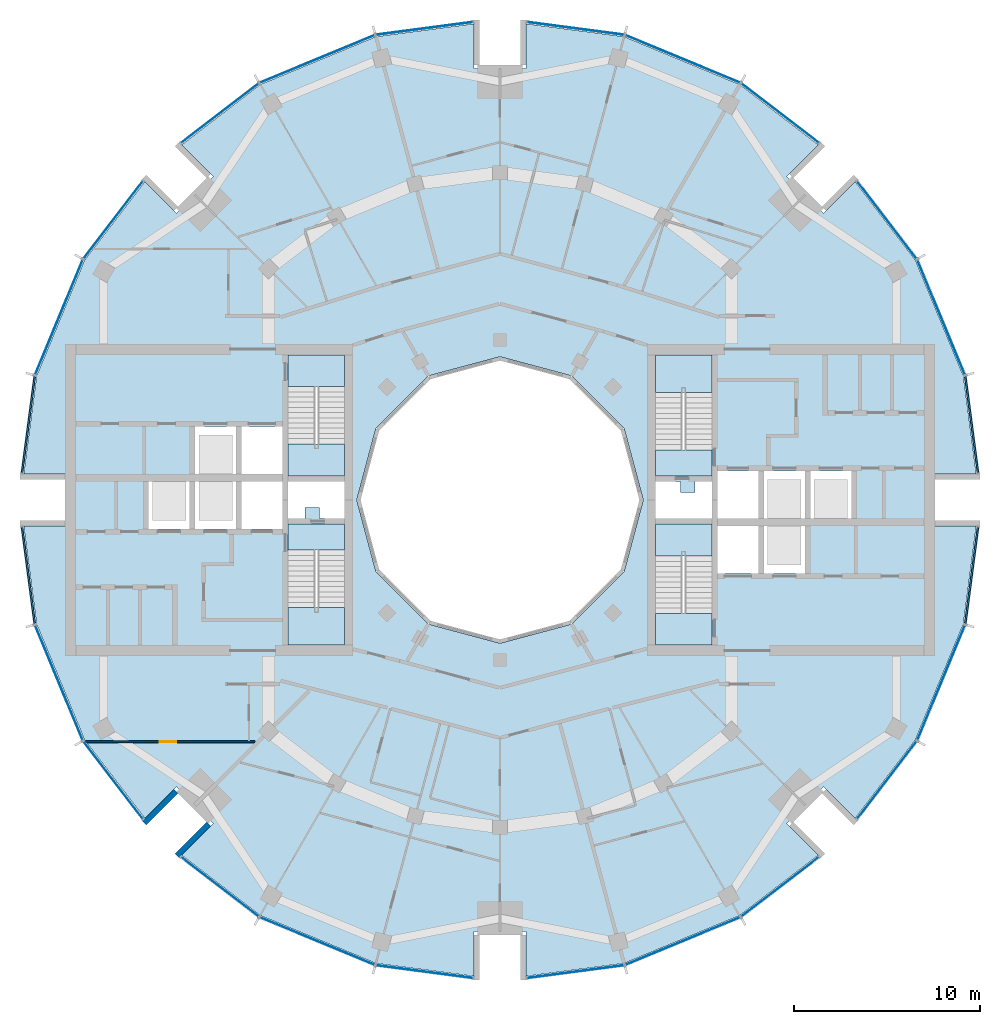
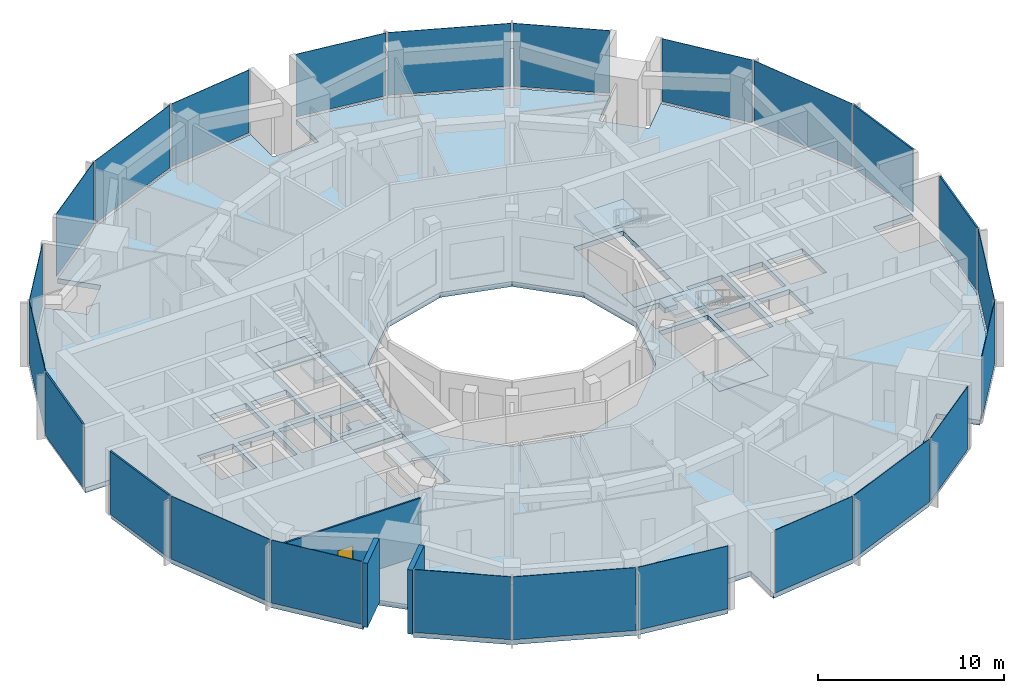
# One storey, part 7 of 15: 24 plates, 9 slabs, 3 walls, 1 door, 1 opening, 28 elements without a shape of their own.
"""IFC4 building model written with IfcOpenShell, lengths in metres."""

from ifc_helpers import new_model, si_unit, direction, frame, frame_2d, origin, origin_2d, place, context, subcontext, project, spatial, polyline, rectangle, outline, extrude, material, layer, layer_set, type_object, element, fill, aggregate, save


model = new_model("IFC4")

# Units and contexts
model_context = context("Model", 3, precision=1e-05, world=origin(), true_north=direction((0.0, 1.0)))
body_context = subcontext(model_context, "Body", "Model", "MODEL_VIEW")
ifc_project = project(units=[si_unit("LENGTHUNIT", "METRE"), si_unit("AREAUNIT", "SQUARE_METRE"), si_unit("VOLUMEUNIT", "CUBIC_METRE"), si_unit("PLANEANGLEUNIT", "RADIAN"), si_unit("MASSUNIT", "GRAM", prefix="KILO")], contexts=[model_context])

# Site, building, storey
site_placement = place(None, origin())
site = spatial("IfcSite", under=ifc_project, at=site_placement, CompositionType="ELEMENT")
building_placement = place(site_placement, origin())
building = spatial("IfcBuilding", under=site, at=building_placement, Name="Torre Brocal", CompositionType="ELEMENT")
storey_placement = place(building_placement, frame((0.0, 0.0, 254.10009765625)))
storey = spatial("IfcBuildingStorey", under=building, at=storey_placement, Name="L58", CompositionType="ELEMENT", Elevation=254.10009765625)

# Curtain wall, plate
ifc_material_1 = material(Name="Aluminium and glass", Category="aluminium")
ifc_layer_1 = layer(ifc_material_1, 0.199951171875)
ifc_layer_set_1 = layer_set([ifc_layer_1], Name="Aluminium and glass")
curtain_wall_type_1 = type_object("IfcCurtainWallType", Name="CW-1 CURTAIN WALL 4200 HIGH", PredefinedType="NOTDEFINED", material=ifc_layer_set_1)
curtain_wall_1_placement = place(storey_placement, origin())
curtain_wall_1 = element("IfcCurtainWall", 1, at=curtain_wall_1_placement, inside=storey, type_object=curtain_wall_type_1, Name="CW-1 RUN 2", PredefinedType="NOTDEFINED")
ifc_material_2 = material(Name="Glass, dark tinted laminated", Category="glass")
ifc_layer_2 = layer(ifc_material_2, 0.031982421875)
ifc_layer_set_2 = layer_set([ifc_layer_2], Name="Glass, dark tinted laminated")
plate_type_1 = type_object("IfcPlateType", Name="CW-1 GLASS PANEL 32", PredefinedType="CURTAIN_PANEL", material=ifc_layer_set_2)
plate_1_placement = place(storey_placement, frame((103.722900390625, 84.826416015625, 0.079833984375), z_axis=(0.0, 0.0, 1.0), x_axis=(-0.382683432333, 0.923879532525, 0.0)))
plate_1 = element("IfcPlate", 2, at=plate_1_placement, type_object=plate_type_1, Name="CW1-5 panel 1.1", PredefinedType="CURTAIN_PANEL", context=body_context, shape_type="SweptSolid", body=[
    extrude(rectangle(XDim=6.64111328125, YDim=0.031982421875, at=origin_2d()), origin(), (0.0, 0.0, 1.0), 4.1201171875),
])
aggregate(curtain_wall_1, [plate_1])

curtain_wall_2_placement = place(storey_placement, origin())
curtain_wall_2 = element("IfcCurtainWall", 3, at=curtain_wall_2_placement, inside=storey, type_object=curtain_wall_type_1, Name="CW-1 RUN 3", PredefinedType="NOTDEFINED")
plate_2_placement = place(storey_placement, frame((100.80126953125, 90.0712890625, 0.079833984375), z_axis=(0.0, 0.0, 1.0), x_axis=(-0.60876142905, 0.793353340259, 0.0)))
plate_2 = element("IfcPlate", 4, at=plate_2_placement, type_object=plate_type_1, Name="CW1-5 panel 1.1", PredefinedType="CURTAIN_PANEL", context=body_context, shape_type="SweptSolid", body=[
    extrude(rectangle(XDim=5.22900390625, YDim=0.031982421875, at=origin_2d()), origin(), (0.0, 0.0, 1.0), 4.1201171875),
])
aggregate(curtain_wall_2, [plate_2])

curtain_wall_3_placement = place(storey_placement, origin())
curtain_wall_3 = element("IfcCurtainWall", 5, at=curtain_wall_3_placement, inside=storey, type_object=curtain_wall_type_1, Name="CW-1 RUN 4", PredefinedType="NOTDEFINED")
plate_3_placement = place(storey_placement, frame((95.0712890625, 95.80126953125, 0.079833984375), z_axis=(0.0, 0.0, 1.0), x_axis=(-0.793353340259, 0.60876142905, 0.0)))
plate_3 = element("IfcPlate", 6, at=plate_3_placement, type_object=plate_type_1, Name="CW1-5 panel 1.1", PredefinedType="CURTAIN_PANEL", context=body_context, shape_type="SweptSolid", body=[
    extrude(rectangle(XDim=5.22900390625, YDim=0.031982421875, at=origin_2d()), origin(), (0.0, 0.0, 1.0), 4.1201171875),
])
aggregate(curtain_wall_3, [plate_3])

curtain_wall_4_placement = place(storey_placement, origin())
curtain_wall_4 = element("IfcCurtainWall", 7, at=curtain_wall_4_placement, inside=storey, type_object=curtain_wall_type_1, Name="CW-1 RUN 5", PredefinedType="NOTDEFINED")
plate_4_placement = place(storey_placement, frame((89.826416015625, 98.722900390625, 0.079833984375), z_axis=(0.0, 0.0, 1.0), x_axis=(-0.923879532525, 0.382683432333, 0.0)))
plate_4 = element("IfcPlate", 8, at=plate_4_placement, type_object=plate_type_1, Name="CW1-5 panel 1.1", PredefinedType="CURTAIN_PANEL", context=body_context, shape_type="SweptSolid", body=[
    extrude(rectangle(XDim=6.64111328125, YDim=0.031982421875, at=origin_2d()), origin(), (0.0, 0.0, 1.0), 4.1201171875),
])
aggregate(curtain_wall_4, [plate_4])

curtain_wall_5_placement = place(storey_placement, origin())
curtain_wall_5 = element("IfcCurtainWall", 9, at=curtain_wall_5_placement, inside=storey, type_object=curtain_wall_type_1, Name="CW-1 RUN 6", PredefinedType="NOTDEFINED")
plate_5_placement = place(storey_placement, frame((84.051513671875, 100.36572265625, 0.079833984375), z_axis=(0.0, 0.0, 1.0), x_axis=(-0.991444861374, 0.13052619222, 0.0)))
plate_5 = element("IfcPlate", 10, at=plate_5_placement, type_object=plate_type_1, Name="CW1-5 panel 1.1", PredefinedType="CURTAIN_PANEL", context=body_context, shape_type="SweptSolid", body=[
    extrude(rectangle(XDim=5.22900390625, YDim=0.031982421875, at=origin_2d()), origin(), (0.0, 0.0, 1.0), 4.1201171875),
])
aggregate(curtain_wall_5, [plate_5])

curtain_wall_6_placement = place(storey_placement, origin())
curtain_wall_6 = element("IfcCurtainWall", 11, at=curtain_wall_6_placement, inside=storey, type_object=curtain_wall_type_1, Name="CW-1 RUN 7", PredefinedType="NOTDEFINED")
plate_6_placement = place(storey_placement, frame((75.948486328125, 100.36572265625, 0.079833984375), z_axis=(0.0, 0.0, 1.0), x_axis=(-0.991444861374, -0.13052619222, 0.0)))
plate_6 = element("IfcPlate", 12, at=plate_6_placement, type_object=plate_type_1, Name="CW1-5 panel 1.1", PredefinedType="CURTAIN_PANEL", context=body_context, shape_type="SweptSolid", body=[
    extrude(rectangle(XDim=5.22900390625, YDim=0.031982421875, at=origin_2d()), origin(), (0.0, 0.0, 1.0), 4.1201171875),
])
aggregate(curtain_wall_6, [plate_6])

curtain_wall_7_placement = place(storey_placement, origin())
curtain_wall_7 = element("IfcCurtainWall", 13, at=curtain_wall_7_placement, inside=storey, type_object=curtain_wall_type_1, Name="CW-1 RUN 8", PredefinedType="NOTDEFINED")
plate_7_placement = place(storey_placement, frame((70.173583984375, 98.722900390625, 0.079833984375), z_axis=(0.0, 0.0, 1.0), x_axis=(-0.923879532525, -0.382683432333, 0.0)))
plate_7 = element("IfcPlate", 14, at=plate_7_placement, type_object=plate_type_1, Name="CW1-5 panel 1.1", PredefinedType="CURTAIN_PANEL", context=body_context, shape_type="SweptSolid", body=[
    extrude(rectangle(XDim=6.64111328125, YDim=0.031982421875, at=origin_2d()), origin(), (0.0, 0.0, 1.0), 4.1201171875),
])
aggregate(curtain_wall_7, [plate_7])

curtain_wall_8_placement = place(storey_placement, origin())
curtain_wall_8 = element("IfcCurtainWall", 15, at=curtain_wall_8_placement, inside=storey, type_object=curtain_wall_type_1, Name="CW-1 RUN 9", PredefinedType="NOTDEFINED")
plate_8_placement = place(storey_placement, frame((64.9287109375, 95.80126953125, 0.079833984375), z_axis=(0.0, 0.0, 1.0), x_axis=(-0.793353340259, -0.60876142905, 0.0)))
plate_8 = element("IfcPlate", 16, at=plate_8_placement, type_object=plate_type_1, Name="CW1-5 panel 1.1", PredefinedType="CURTAIN_PANEL", context=body_context, shape_type="SweptSolid", body=[
    extrude(rectangle(XDim=5.22900390625, YDim=0.031982421875, at=origin_2d()), origin(), (0.0, 0.0, 1.0), 4.1201171875),
])
aggregate(curtain_wall_8, [plate_8])

curtain_wall_9_placement = place(storey_placement, origin())
curtain_wall_9 = element("IfcCurtainWall", 17, at=curtain_wall_9_placement, inside=storey, type_object=curtain_wall_type_1, Name="CW-1 RUN 10", PredefinedType="NOTDEFINED")
plate_9_placement = place(storey_placement, frame((59.19873046875, 90.0712890625, 0.079833984375), z_axis=(0.0, 0.0, 1.0), x_axis=(-0.60876142905, -0.793353340259, 0.0)))
plate_9 = element("IfcPlate", 18, at=plate_9_placement, type_object=plate_type_1, Name="CW1-5 panel 1.1", PredefinedType="CURTAIN_PANEL", context=body_context, shape_type="SweptSolid", body=[
    extrude(rectangle(XDim=5.22900390625, YDim=0.031982421875, at=origin_2d()), origin(), (0.0, 0.0, 1.0), 4.1201171875),
])
aggregate(curtain_wall_9, [plate_9])

curtain_wall_10_placement = place(storey_placement, origin())
curtain_wall_10 = element("IfcCurtainWall", 19, at=curtain_wall_10_placement, inside=storey, type_object=curtain_wall_type_1, Name="CW-1 RUN 11", PredefinedType="NOTDEFINED")
plate_10_placement = place(storey_placement, frame((56.277099609375, 84.826416015625, 0.079833984375), z_axis=(0.0, 0.0, 1.0), x_axis=(-0.382683432333, -0.923879532525, 0.0)))
plate_10 = element("IfcPlate", 20, at=plate_10_placement, type_object=plate_type_1, Name="CW1-5 panel 1.1", PredefinedType="CURTAIN_PANEL", context=body_context, shape_type="SweptSolid", body=[
    extrude(rectangle(XDim=6.64111328125, YDim=0.031982421875, at=origin_2d()), origin(), (0.0, 0.0, 1.0), 4.1201171875),
])
aggregate(curtain_wall_10, [plate_10])

curtain_wall_11_placement = place(storey_placement, origin())
curtain_wall_11 = element("IfcCurtainWall", 21, at=curtain_wall_11_placement, inside=storey, type_object=curtain_wall_type_1, Name="CW-1 RUN 14", PredefinedType="NOTDEFINED")
plate_11_placement = place(storey_placement, frame((56.277099609375, 65.173583984375, 0.079833984375), z_axis=(0.0, 0.0, 1.0), x_axis=(0.382683432333, -0.923879532525, 0.0)))
plate_11 = element("IfcPlate", 22, at=plate_11_placement, type_object=plate_type_1, Name="CW1-5 panel 1.1", PredefinedType="CURTAIN_PANEL", context=body_context, shape_type="SweptSolid", body=[
    extrude(rectangle(XDim=6.64111328125, YDim=0.031982421875, at=origin_2d()), origin(), (0.0, 0.0, 1.0), 4.1201171875),
])
aggregate(curtain_wall_11, [plate_11])

curtain_wall_12_placement = place(storey_placement, origin())
curtain_wall_12 = element("IfcCurtainWall", 23, at=curtain_wall_12_placement, inside=storey, type_object=curtain_wall_type_1, Name="CW-1 RUN 15", PredefinedType="NOTDEFINED")
plate_12_placement = place(storey_placement, frame((59.19873046875, 59.9287109375, 0.079833984375), z_axis=(0.0, 0.0, 1.0), x_axis=(0.60876142905, -0.793353340259, 0.0)))
plate_12 = element("IfcPlate", 24, at=plate_12_placement, type_object=plate_type_1, Name="CW1-5 panel 1.1", PredefinedType="CURTAIN_PANEL", context=body_context, shape_type="SweptSolid", body=[
    extrude(rectangle(XDim=5.22900390625, YDim=0.031982421875, at=origin_2d()), origin(), (0.0, 0.0, 1.0), 4.1201171875),
])
aggregate(curtain_wall_12, [plate_12])

curtain_wall_13_placement = place(storey_placement, origin())
curtain_wall_13 = element("IfcCurtainWall", 25, at=curtain_wall_13_placement, inside=storey, type_object=curtain_wall_type_1, Name="CW-1 RUN 16", PredefinedType="NOTDEFINED")
plate_13_placement = place(storey_placement, frame((64.9287109375, 54.19873046875, 0.079833984375), z_axis=(0.0, 0.0, 1.0), x_axis=(0.793353340259, -0.60876142905, 0.0)))
plate_13 = element("IfcPlate", 26, at=plate_13_placement, type_object=plate_type_1, Name="CW1-5 panel 1.1", PredefinedType="CURTAIN_PANEL", context=body_context, shape_type="SweptSolid", body=[
    extrude(rectangle(XDim=5.22900390625, YDim=0.031982421875, at=origin_2d()), origin(), (0.0, 0.0, 1.0), 4.1201171875),
])
aggregate(curtain_wall_13, [plate_13])

curtain_wall_14_placement = place(storey_placement, origin())
curtain_wall_14 = element("IfcCurtainWall", 27, at=curtain_wall_14_placement, inside=storey, type_object=curtain_wall_type_1, Name="CW-1 RUN 17", PredefinedType="NOTDEFINED")
plate_14_placement = place(storey_placement, frame((70.173583984375, 51.277099609375, 0.079833984375), z_axis=(0.0, 0.0, 1.0), x_axis=(0.923879532525, -0.382683432333, 0.0)))
plate_14 = element("IfcPlate", 28, at=plate_14_placement, type_object=plate_type_1, Name="CW1-5 panel 1.1", PredefinedType="CURTAIN_PANEL", context=body_context, shape_type="SweptSolid", body=[
    extrude(rectangle(XDim=6.64111328125, YDim=0.031982421875, at=origin_2d()), origin(), (0.0, 0.0, 1.0), 4.1201171875),
])
aggregate(curtain_wall_14, [plate_14])

curtain_wall_15_placement = place(storey_placement, origin())
curtain_wall_15 = element("IfcCurtainWall", 29, at=curtain_wall_15_placement, inside=storey, type_object=curtain_wall_type_1, Name="CW-1 RUN 18", PredefinedType="NOTDEFINED")
plate_15_placement = place(storey_placement, frame((75.948486328125, 49.63427734375, 0.079833984375), z_axis=(0.0, 0.0, 1.0), x_axis=(0.991444861374, -0.13052619222, 0.0)))
plate_15 = element("IfcPlate", 30, at=plate_15_placement, type_object=plate_type_1, Name="CW1-5 panel 1.1", PredefinedType="CURTAIN_PANEL", context=body_context, shape_type="SweptSolid", body=[
    extrude(rectangle(XDim=5.22900390625, YDim=0.031982421875, at=origin_2d()), origin(), (0.0, 0.0, 1.0), 4.1201171875),
])
aggregate(curtain_wall_15, [plate_15])

curtain_wall_16_placement = place(storey_placement, origin())
curtain_wall_16 = element("IfcCurtainWall", 31, at=curtain_wall_16_placement, inside=storey, type_object=curtain_wall_type_1, Name="CW-1 RUN 19", PredefinedType="NOTDEFINED")
plate_16_placement = place(storey_placement, frame((84.051513671875, 49.63427734375, 0.079833984375), z_axis=(0.0, 0.0, 1.0), x_axis=(0.991444861374, 0.13052619222, 0.0)))
plate_16 = element("IfcPlate", 32, at=plate_16_placement, type_object=plate_type_1, Name="CW1-5 panel 1.1", PredefinedType="CURTAIN_PANEL", context=body_context, shape_type="SweptSolid", body=[
    extrude(rectangle(XDim=5.22900390625, YDim=0.031982421875, at=origin_2d()), origin(), (0.0, 0.0, 1.0), 4.1201171875),
])
aggregate(curtain_wall_16, [plate_16])

curtain_wall_17_placement = place(storey_placement, origin())
curtain_wall_17 = element("IfcCurtainWall", 33, at=curtain_wall_17_placement, inside=storey, type_object=curtain_wall_type_1, Name="CW-1 RUN 20", PredefinedType="NOTDEFINED")
plate_17_placement = place(storey_placement, frame((89.826416015625, 51.277099609375, 0.079833984375), z_axis=(0.0, 0.0, 1.0), x_axis=(0.923879532525, 0.382683432333, 0.0)))
plate_17 = element("IfcPlate", 34, at=plate_17_placement, type_object=plate_type_1, Name="CW1-5 panel 1.1", PredefinedType="CURTAIN_PANEL", context=body_context, shape_type="SweptSolid", body=[
    extrude(rectangle(XDim=6.64111328125, YDim=0.031982421875, at=origin_2d()), origin(), (0.0, 0.0, 1.0), 4.1201171875),
])
aggregate(curtain_wall_17, [plate_17])

curtain_wall_18_placement = place(storey_placement, origin())
curtain_wall_18 = element("IfcCurtainWall", 35, at=curtain_wall_18_placement, inside=storey, type_object=curtain_wall_type_1, Name="CW-1 RUN 21", PredefinedType="NOTDEFINED")
plate_18_placement = place(storey_placement, frame((95.0712890625, 54.19873046875, 0.079833984375), z_axis=(0.0, 0.0, 1.0), x_axis=(0.793353340259, 0.60876142905, 0.0)))
plate_18 = element("IfcPlate", 36, at=plate_18_placement, type_object=plate_type_1, Name="CW1-5 panel 1.1", PredefinedType="CURTAIN_PANEL", context=body_context, shape_type="SweptSolid", body=[
    extrude(rectangle(XDim=5.22900390625, YDim=0.031982421875, at=origin_2d()), origin(), (0.0, 0.0, 1.0), 4.1201171875),
])
aggregate(curtain_wall_18, [plate_18])

curtain_wall_19_placement = place(storey_placement, origin())
curtain_wall_19 = element("IfcCurtainWall", 37, at=curtain_wall_19_placement, inside=storey, type_object=curtain_wall_type_1, Name="CW-1 RUN 22", PredefinedType="NOTDEFINED")
plate_19_placement = place(storey_placement, frame((100.80126953125, 59.9287109375, 0.079833984375), z_axis=(0.0, 0.0, 1.0), x_axis=(0.60876142905, 0.793353340259, 0.0)))
plate_19 = element("IfcPlate", 38, at=plate_19_placement, type_object=plate_type_1, Name="CW1-5 panel 1.1", PredefinedType="CURTAIN_PANEL", context=body_context, shape_type="SweptSolid", body=[
    extrude(rectangle(XDim=5.22900390625, YDim=0.031982421875, at=origin_2d()), origin(), (0.0, 0.0, 1.0), 4.1201171875),
])
aggregate(curtain_wall_19, [plate_19])

curtain_wall_20_placement = place(storey_placement, origin())
curtain_wall_20 = element("IfcCurtainWall", 39, at=curtain_wall_20_placement, inside=storey, type_object=curtain_wall_type_1, Name="CW-1 RUN 23", PredefinedType="NOTDEFINED")
plate_20_placement = place(storey_placement, frame((103.722900390625, 65.173583984375, 0.079833984375), z_axis=(0.0, 0.0, 1.0), x_axis=(0.382683432333, 0.923879532525, 0.0)))
plate_20 = element("IfcPlate", 40, at=plate_20_placement, type_object=plate_type_1, Name="CW1-5 panel 1.1", PredefinedType="CURTAIN_PANEL", context=body_context, shape_type="SweptSolid", body=[
    extrude(rectangle(XDim=6.64111328125, YDim=0.031982421875, at=origin_2d()), origin(), (0.0, 0.0, 1.0), 4.1201171875),
])
aggregate(curtain_wall_20, [plate_20])

ifc_material_3 = material(Name="Aluminium and glass", Category="aluminium")
ifc_layer_3 = layer(ifc_material_3, 0.199951171875)
ifc_layer_set_3 = layer_set([ifc_layer_3], Name="Aluminium and glass")
curtain_wall_type_2 = type_object("IfcCurtainWallType", Name="CW-1B CURTAIN WALL 4200 HIGH", PredefinedType="NOTDEFINED", material=ifc_layer_set_3)
curtain_wall_21_placement = place(storey_placement, origin())
curtain_wall_21 = element("IfcCurtainWall", 41, at=curtain_wall_21_placement, inside=storey, type_object=curtain_wall_type_2, Name="CW-1B RUN 1", PredefinedType="NOTDEFINED")
ifc_material_4 = material(Name="Aluminium composite panel", Category="aluminium")
ifc_layer_4 = layer(ifc_material_4, 0.10009765625)
ifc_layer_set_4 = layer_set([ifc_layer_4], Name="Aluminium composite panel")
plate_type_2 = type_object("IfcPlateType", Name="CW-1B OPAQUE PANEL 100", PredefinedType="CURTAIN_PANEL", material=ifc_layer_set_4)
plate_21_placement = place(storey_placement, frame((105.36572265625, 79.051513671875, 0.079833984375), z_axis=(0.0, 0.0, 1.0), x_axis=(-0.13052619222, 0.991444861374, 0.0)))
plate_21 = element("IfcPlate", 42, at=plate_21_placement, type_object=plate_type_2, Name="CW1B-5 panel 1.1", PredefinedType="CURTAIN_PANEL", context=body_context, shape_type="SweptSolid", body=[
    extrude(rectangle(XDim=5.22900390625, YDim=0.10009765625, at=origin_2d()), origin(), (0.0, 0.0, 1.0), 4.1201171875),
])
aggregate(curtain_wall_21, [plate_21])

curtain_wall_22_placement = place(storey_placement, origin())
curtain_wall_22 = element("IfcCurtainWall", 43, at=curtain_wall_22_placement, inside=storey, type_object=curtain_wall_type_2, Name="CW-1B RUN 12", PredefinedType="NOTDEFINED")
plate_22_placement = place(storey_placement, frame((54.63427734375, 79.051513671875, 0.079833984375), z_axis=(0.0, 0.0, 1.0), x_axis=(-0.13052619222, -0.991444861374, 0.0)))
plate_22 = element("IfcPlate", 44, at=plate_22_placement, type_object=plate_type_2, Name="CW1B-5 panel 1.1", PredefinedType="CURTAIN_PANEL", context=body_context, shape_type="SweptSolid", body=[
    extrude(rectangle(XDim=5.22900390625, YDim=0.10009765625, at=origin_2d()), origin(), (0.0, 0.0, 1.0), 4.1201171875),
])
aggregate(curtain_wall_22, [plate_22])

curtain_wall_23_placement = place(storey_placement, origin())
curtain_wall_23 = element("IfcCurtainWall", 45, at=curtain_wall_23_placement, inside=storey, type_object=curtain_wall_type_2, Name="CW-1B RUN 13", PredefinedType="NOTDEFINED")
plate_23_placement = place(storey_placement, frame((54.63427734375, 70.948486328125, 0.079833984375), z_axis=(0.0, 0.0, 1.0), x_axis=(0.13052619222, -0.991444861374, 0.0)))
plate_23 = element("IfcPlate", 46, at=plate_23_placement, type_object=plate_type_2, Name="CW1B-5 panel 1.1", PredefinedType="CURTAIN_PANEL", context=body_context, shape_type="SweptSolid", body=[
    extrude(rectangle(XDim=5.22900390625, YDim=0.10009765625, at=origin_2d()), origin(), (0.0, 0.0, 1.0), 4.1201171875),
])
aggregate(curtain_wall_23, [plate_23])

curtain_wall_24_placement = place(storey_placement, origin())
curtain_wall_24 = element("IfcCurtainWall", 47, at=curtain_wall_24_placement, inside=storey, type_object=curtain_wall_type_2, Name="CW-1B RUN 24", PredefinedType="NOTDEFINED")
plate_24_placement = place(storey_placement, frame((105.36572265625, 70.948486328125, 0.079833984375), z_axis=(0.0, 0.0, 1.0), x_axis=(0.13052619222, 0.991444861374, 0.0)))
plate_24 = element("IfcPlate", 48, at=plate_24_placement, type_object=plate_type_2, Name="CW1B-5 panel 1.1", PredefinedType="CURTAIN_PANEL", context=body_context, shape_type="SweptSolid", body=[
    extrude(rectangle(XDim=5.22900390625, YDim=0.10009765625, at=origin_2d()), origin(), (0.0, 0.0, 1.0), 4.1201171875),
])
aggregate(curtain_wall_24, [plate_24])

# Stair, slab
ifc_material_5 = material(Name="Concrete C50", Category="concrete")
stair_type = type_object("IfcStairType", Name="EXIT STAIR", PredefinedType="HALF_TURN_STAIR", material=ifc_material_5)
stair_1_placement = place(storey_placement, origin())
stair_1 = element("IfcStair", 49, at=stair_1_placement, inside=storey, type_object=stair_type, Name="EXIT STAIR ST1", PredefinedType="HALF_TURN_STAIR")
ifc_material_6 = material(Name="Concrete C50", Category="concrete")
ifc_layer_5 = layer(ifc_material_6, 0.320068359375)
ifc_layer_set_5 = layer_set([ifc_layer_5], Name="Concrete C50")
slab_type_1 = type_object("IfcSlabType", Name="FLOOR LANDING 320", PredefinedType="LANDING", material=ifc_layer_set_5)
slab_1_placement = place(storey_placement, frame((0.0, 0.0, -0.320068359375)))
slab_1 = element("IfcSlab", 50, at=slab_1_placement, type_object=slab_type_1, Name="ST1 landing 1", PredefinedType="LANDING", context=body_context, shape_type="SweptSolid", body=[
    extrude(outline(polyline([(88.35009765625, 76.300048828125), (91.39990234375, 76.300048828125), (91.39990234375, 77.699951171875), (88.35009765625, 77.699951171875), (88.35009765625, 76.300048828125)])), origin(), (0.0, 0.0, 1.0), 0.320068359375),
])

stair_2_placement = place(storey_placement, origin())
stair_2 = element("IfcStair", 51, at=stair_2_placement, inside=storey, type_object=stair_type, Name="EXIT STAIR ST2", PredefinedType="HALF_TURN_STAIR")
slab_2_placement = place(storey_placement, frame((0.0, 0.0, -0.320068359375)))
slab_2 = element("IfcSlab", 52, at=slab_2_placement, type_object=slab_type_1, Name="ST2 landing 1", PredefinedType="LANDING", context=body_context, shape_type="SweptSolid", body=[
    extrude(outline(polyline([(88.35009765625, 67.199951171875), (91.39990234375, 67.199951171875), (91.39990234375, 68.89990234375), (88.35009765625, 68.89990234375), (88.35009765625, 67.199951171875)])), origin(), (0.0, 0.0, 1.0), 0.320068359375),
])

stair_3_placement = place(storey_placement, origin())
stair_3 = element("IfcStair", 53, at=stair_3_placement, inside=storey, type_object=stair_type, Name="EXIT STAIR ST3", PredefinedType="HALF_TURN_STAIR")
slab_3_placement = place(storey_placement, frame((0.0, 0.0, -0.320068359375)))
slab_3 = element("IfcSlab", 54, at=slab_3_placement, type_object=slab_type_1, Name="ST3 landing 1", PredefinedType="LANDING", context=body_context, shape_type="SweptSolid", body=[
    extrude(outline(polyline([(71.64990234375, 73.699951171875), (68.60009765625, 73.699951171875), (68.60009765625, 72.300048828125), (71.64990234375, 72.300048828125), (71.64990234375, 73.699951171875)])), origin(), (0.0, 0.0, 1.0), 0.320068359375),
])

stair_4_placement = place(storey_placement, origin())
stair_4 = element("IfcStair", 55, at=stair_4_placement, inside=storey, type_object=stair_type, Name="EXIT STAIR ST4", PredefinedType="HALF_TURN_STAIR")
slab_4_placement = place(storey_placement, frame((0.0, 0.0, -0.320068359375)))
slab_4 = element("IfcSlab", 56, at=slab_4_placement, type_object=slab_type_1, Name="ST4 landing 1", PredefinedType="LANDING", context=body_context, shape_type="SweptSolid", body=[
    extrude(outline(polyline([(71.64990234375, 82.800048828125), (68.60009765625, 82.800048828125), (68.60009765625, 81.10009765625), (71.64990234375, 81.10009765625), (71.64990234375, 82.800048828125)])), origin(), (0.0, 0.0, 1.0), 0.320068359375),
])

# Slab
ifc_material_7 = material(Name="Concrete C50", Category="concrete")
ifc_layer_6 = layer(ifc_material_7, 0.199951171875)
ifc_layer_set_6 = layer_set([ifc_layer_6], Name="Concrete C50")
slab_type_2 = type_object("IfcSlabType", Name="MID LANDING +2100", PredefinedType="LANDING", material=ifc_layer_set_6)
slab_5_placement = place(storey_placement, frame((0.0, 0.0, 1.89990234375)))
slab_5 = element("IfcSlab", 57, at=slab_5_placement, type_object=slab_type_2, Name="ST1 landing 2", PredefinedType="LANDING", context=body_context, shape_type="SweptSolid", body=[
    extrude(outline(polyline([(88.35009765625, 80.780029296875), (91.39990234375, 80.780029296875), (91.39990234375, 82.800048828125), (88.35009765625, 82.800048828125), (88.35009765625, 80.780029296875)])), origin(), (0.0, 0.0, 1.0), 0.199951171875),
])

aggregate(stair_1, [slab_1, slab_5])

slab_6_placement = place(storey_placement, frame((0.0, 0.0, 1.89990234375)))
slab_6 = element("IfcSlab", 58, at=slab_6_placement, type_object=slab_type_2, Name="ST2 landing 2", PredefinedType="LANDING", context=body_context, shape_type="SweptSolid", body=[
    extrude(outline(polyline([(88.35009765625, 71.97998046875), (91.39990234375, 71.97998046875), (91.39990234375, 73.699951171875), (88.35009765625, 73.699951171875), (88.35009765625, 71.97998046875)])), origin(), (0.0, 0.0, 1.0), 0.199951171875),
])

aggregate(stair_2, [slab_2, slab_6])

slab_7_placement = place(storey_placement, frame((0.0, 0.0, 1.89990234375)))
slab_7 = element("IfcSlab", 59, at=slab_7_placement, type_object=slab_type_2, Name="ST3 landing 2", PredefinedType="LANDING", context=body_context, shape_type="SweptSolid", body=[
    extrude(outline(polyline([(71.64990234375, 69.219970703125), (68.60009765625, 69.219970703125), (68.60009765625, 67.199951171875), (71.64990234375, 67.199951171875), (71.64990234375, 69.219970703125)])), origin(), (0.0, 0.0, 1.0), 0.199951171875),
])

aggregate(stair_3, [slab_3, slab_7])

slab_8_placement = place(storey_placement, frame((0.0, 0.0, 1.89990234375)))
slab_8 = element("IfcSlab", 60, at=slab_8_placement, type_object=slab_type_2, Name="ST4 landing 2", PredefinedType="LANDING", context=body_context, shape_type="SweptSolid", body=[
    extrude(outline(polyline([(71.64990234375, 78.02001953125), (68.60009765625, 78.02001953125), (68.60009765625, 76.300048828125), (71.64990234375, 76.300048828125), (71.64990234375, 78.02001953125)])), origin(), (0.0, 0.0, 1.0), 0.199951171875),
])

aggregate(stair_4, [slab_4, slab_8])

ifc_material_8 = material(Name="Concrete C45", Category="concrete")
ifc_layer_7 = layer(ifc_material_8, 0.320068359375)
ifc_layer_set_7 = layer_set([ifc_layer_7], Name="Concrete C45")
slab_type_3 = type_object("IfcSlabType", Name="PT FLOOR SLAB 320 C45", PredefinedType="FLOOR", material=ifc_layer_set_7)
slab_9_placement = place(storey_placement, frame((0.0, 0.0, -0.320068359375)))
element("IfcSlab", 61, at=slab_9_placement, inside=storey, type_object=slab_type_3, Name="Slab ST-05", PredefinedType="FLOOR", context=body_context, shape_type="SweptSolid", body=[
    extrude(outline(polyline([(103.199951171875, 76.39990234375), (103.199951171875, 73.60009765625), (105.614013671875, 73.60009765625), (104.919189453125, 68.322998046875), (102.342041015625, 62.100830078125), (99.101806640625, 57.878173828125), (97.394775390625, 59.5849609375), (95.4150390625, 57.605224609375), (97.121826171875, 55.898193359375), (92.899169921875, 52.657958984375), (86.677001953125, 50.080810546875), (81.39990234375, 49.385986328125), (81.39990234375, 51.800048828125), (78.60009765625, 51.800048828125), (78.60009765625, 49.385986328125), (73.322998046875, 50.080810546875), (67.100830078125, 52.657958984375), (62.878173828125, 55.898193359375), (64.5849609375, 57.605224609375), (62.605224609375, 59.5849609375), (60.898193359375, 57.878173828125), (57.657958984375, 62.100830078125), (55.080810546875, 68.322998046875), (54.385986328125, 73.60009765625), (56.800048828125, 73.60009765625), (56.800048828125, 76.39990234375), (54.385986328125, 76.39990234375), (55.080810546875, 81.677001953125), (57.657958984375, 87.899169921875), (60.898193359375, 92.121826171875), (62.605224609375, 90.4150390625), (64.5849609375, 92.394775390625), (62.878173828125, 94.101806640625), (67.100830078125, 97.342041015625), (73.322998046875, 99.919189453125), (78.60009765625, 100.614013671875), (78.60009765625, 98.199951171875), (81.39990234375, 98.199951171875), (81.39990234375, 100.614013671875), (86.677001953125, 99.919189453125), (92.899169921875, 97.342041015625), (97.121826171875, 94.101806640625), (95.4150390625, 92.394775390625), (97.394775390625, 90.4150390625), (99.101806640625, 92.121826171875), (102.342041015625, 87.899169921875), (104.919189453125, 81.677001953125), (105.614013671875, 76.39990234375), (103.199951171875, 76.39990234375)]), holes=[polyline([(98.89990234375, 76.550048828125), (96.699951171875, 76.550048828125), (96.699951171875, 74.0), (98.89990234375, 74.0), (98.89990234375, 76.550048828125)]), polyline([(96.39990234375, 76.550048828125), (94.199951171875, 76.550048828125), (94.199951171875, 74.0), (96.39990234375, 74.0), (96.39990234375, 76.550048828125)]), polyline([(96.39990234375, 73.60009765625), (94.199951171875, 73.60009765625), (94.199951171875, 71.050048828125), (96.39990234375, 71.050048828125), (96.39990234375, 73.60009765625)]), polyline([(93.89990234375, 76.550048828125), (91.699951171875, 76.550048828125), (91.699951171875, 74.0), (93.89990234375, 74.0), (93.89990234375, 76.550048828125)]), polyline([(93.89990234375, 73.60009765625), (91.699951171875, 73.60009765625), (91.699951171875, 71.050048828125), (93.89990234375, 71.050048828125), (93.89990234375, 73.60009765625)]), polyline([(89.699951171875, 76.0), (88.35009765625, 76.0), (88.35009765625, 74.0), (91.39990234375, 74.0), (91.39990234375, 76.0), (90.5, 76.0), (90.5, 75.39990234375), (89.699951171875, 75.39990234375), (89.699951171875, 76.0)]), polyline([(91.39990234375, 82.800048828125), (88.35009765625, 82.800048828125), (88.35009765625, 76.300048828125), (91.39990234375, 76.300048828125), (91.39990234375, 82.800048828125)]), polyline([(91.39990234375, 73.699951171875), (88.35009765625, 73.699951171875), (88.35009765625, 67.199951171875), (91.39990234375, 67.199951171875), (91.39990234375, 73.699951171875)]), polyline([(80.0, 82.70703125), (76.146484375, 81.674560546875), (73.325439453125, 78.853515625), (72.29296875, 75.0), (73.325439453125, 71.146484375), (76.146484375, 68.325439453125), (80.0, 67.29296875), (83.853515625, 68.325439453125), (86.674560546875, 71.146484375), (87.70703125, 75.0), (86.674560546875, 78.853515625), (83.853515625, 81.674560546875), (80.0, 82.70703125)]), polyline([(70.300048828125, 74.0), (71.64990234375, 74.0), (71.64990234375, 76.0), (68.60009765625, 76.0), (68.60009765625, 74.0), (69.5, 74.0), (69.5, 74.60009765625), (70.300048828125, 74.60009765625), (70.300048828125, 74.0)]), polyline([(68.60009765625, 76.300048828125), (71.64990234375, 76.300048828125), (71.64990234375, 82.800048828125), (68.60009765625, 82.800048828125), (68.60009765625, 76.300048828125)]), polyline([(68.60009765625, 67.199951171875), (71.64990234375, 67.199951171875), (71.64990234375, 73.699951171875), (68.60009765625, 73.699951171875), (68.60009765625, 67.199951171875)]), polyline([(66.10009765625, 76.39990234375), (68.300048828125, 76.39990234375), (68.300048828125, 78.949951171875), (66.10009765625, 78.949951171875), (66.10009765625, 76.39990234375)]), polyline([(66.10009765625, 73.449951171875), (68.300048828125, 73.449951171875), (68.300048828125, 76.0), (66.10009765625, 76.0), (66.10009765625, 73.449951171875)]), polyline([(63.60009765625, 76.39990234375), (65.800048828125, 76.39990234375), (65.800048828125, 78.949951171875), (63.60009765625, 78.949951171875), (63.60009765625, 76.39990234375)]), polyline([(63.60009765625, 73.449951171875), (65.800048828125, 73.449951171875), (65.800048828125, 76.0), (63.60009765625, 76.0), (63.60009765625, 73.449951171875)]), polyline([(61.10009765625, 73.449951171875), (63.300048828125, 73.449951171875), (63.300048828125, 76.0), (61.10009765625, 76.0), (61.10009765625, 73.449951171875)])]), origin(), (0.0, 0.0, 1.0), 0.320068359375),
])

# Walls
ifc_material_9 = material(Name="Concrete C60", Category="concrete")
ifc_layer_8 = layer(ifc_material_9, 0.300048828125)
ifc_layer_set_8 = layer_set([ifc_layer_8], Name="Concrete C60")
wall_type_1 = type_object("IfcWallType", Name="NOTCH RETURN WALL 300 C60", PredefinedType="NOTDEFINED", material=ifc_layer_set_8)
for number, where, z_axis, x_axis, name in (
    (62, (62.56982421875, 59.337646484375, 0.0), (0.0, 0.0, 1.0), (-0.707106781187, -0.707106781187, 0.0), "NOTCH RETURN WALL"),
    (63, (64.337646484375, 57.56982421875, 0.0), (0.0, 0.0, 1.0), (-0.707106781187, -0.707106781187, 0.0), "NOTCH RETURN WALL"),
):
    element("IfcWall", number, at=place(storey_placement, frame(where, z_axis=z_axis, x_axis=x_axis)), inside=storey, type_object=wall_type_1, Name=name, PredefinedType="NOTDEFINED", context=body_context, shape_type="SweptSolid", body=[
        extrude(rectangle(XDim=2.415771484375, YDim=0.300048828125, at=frame_2d((1.2080078125, 0.0))), origin(), (0.0, 0.0, 1.0), 4.199951171875),
    ])

# Wall, opening, door
ifc_material_10 = material(Name="Gypsum board", Category="Gypsum")
ifc_layer_9 = layer(ifc_material_10, 0.10009765625)
ifc_layer_set_9 = layer_set([ifc_layer_9], Name="Gypsum board")
wall_type_2 = type_object("IfcWallType", Name="PARTITION 100", PredefinedType="PARTITIONING", material=ifc_layer_set_9)
wall_placement = place(storey_placement, frame((57.668212890625, 62.0, 0.0), z_axis=(0.0, 0.0, 1.0), x_axis=(1.0, 0.0, 0.0)))
wall = element("IfcWall", 64, at=wall_placement, inside=storey, type_object=wall_type_2, Name="BATHROOM WALL", PredefinedType="PARTITIONING", context=body_context, shape_type="SweptSolid", body=[
    extrude(rectangle(XDim=9.15185546875, YDim=0.10009765625, at=frame_2d((4.575927734375, 0.0))), origin(), (0.0, 0.0, 1.0), 3.75),
])
opening_placement = place(wall_placement, frame((4.031494140625, 0.0, 0.0)))
opening = element("IfcOpeningElement", 65, at=opening_placement, cuts=wall, Name="Opening B04-D36", PredefinedType="OPENING", context=body_context, shape_type="SweptSolid", body=[
    extrude(rectangle(XDim=0.89990234375, YDim=2.10009765625, at=frame_2d((0.449951171875, 1.050048828125))), frame((0.0, 0.06005859375, 0.0), z_axis=(0.0, -1.0, 0.0), x_axis=(1.0, 0.0, 0.0)), (0.0, 0.0, 1.0), 0.1201171875),
])
ifc_material_11 = material(Name="Timber", Category="wood")
door_type = type_object("IfcDoorType", Name="ROOM DOOR 900X2100", OperationType="SINGLE_SWING_LEFT", PredefinedType="DOOR", material=ifc_material_11)
door_placement = place(opening_placement, origin())
door = element("IfcDoor", 66, at=door_placement, inside=storey, type_object=door_type, Name="B04-D36", OperationType="SINGLE_SWING_LEFT", OverallHeight=2.10009765625, OverallWidth=0.89990234375, PredefinedType="DOOR", context=body_context, shape_type="SweptSolid", body=[
    extrude(rectangle(XDim=0.89990234375, YDim=2.10009765625, at=frame_2d((0.449951171875, 1.050048828125))), frame((0.0, 0.02490234375, 0.0), z_axis=(0.0, -1.0, 0.0), x_axis=(1.0, 0.0, 0.0)), (0.0, 0.0, 1.0), 0.050048828125),
])
fill(opening, door)

save(model, "model.ifc")
